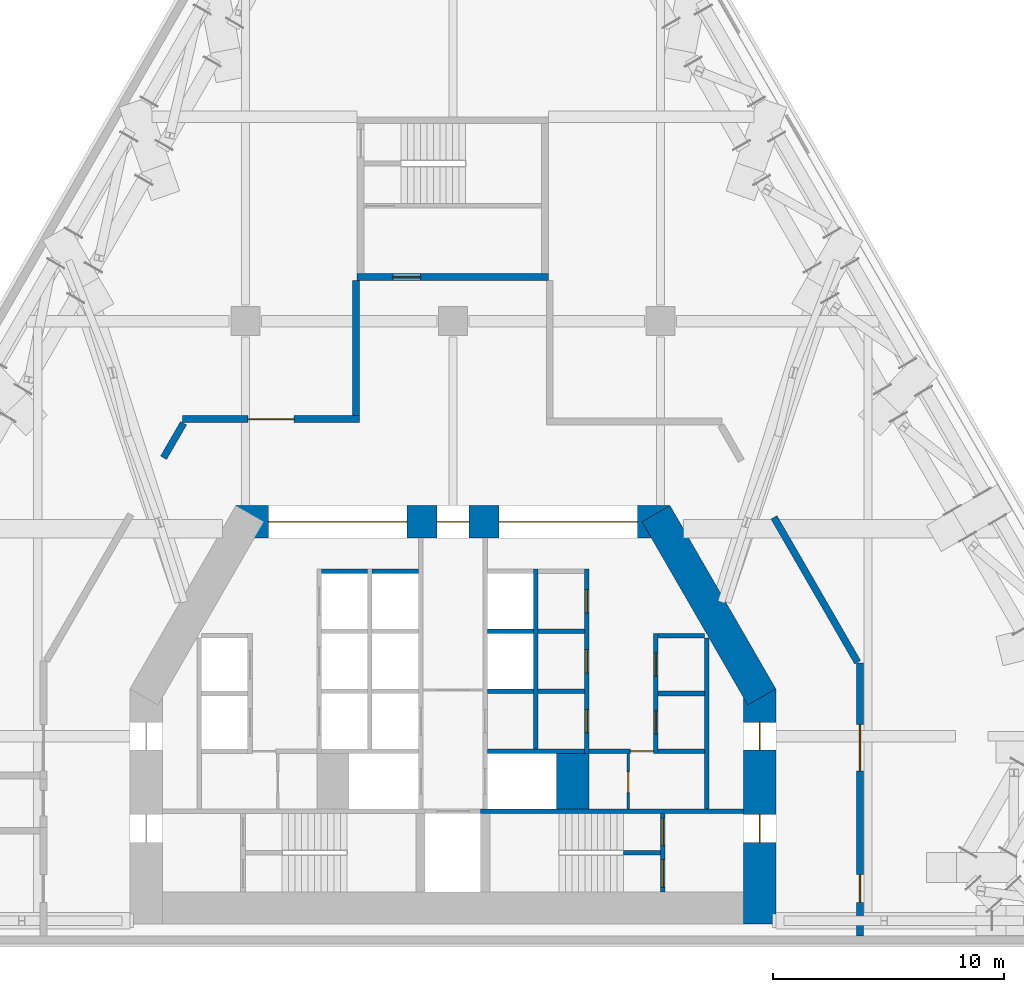
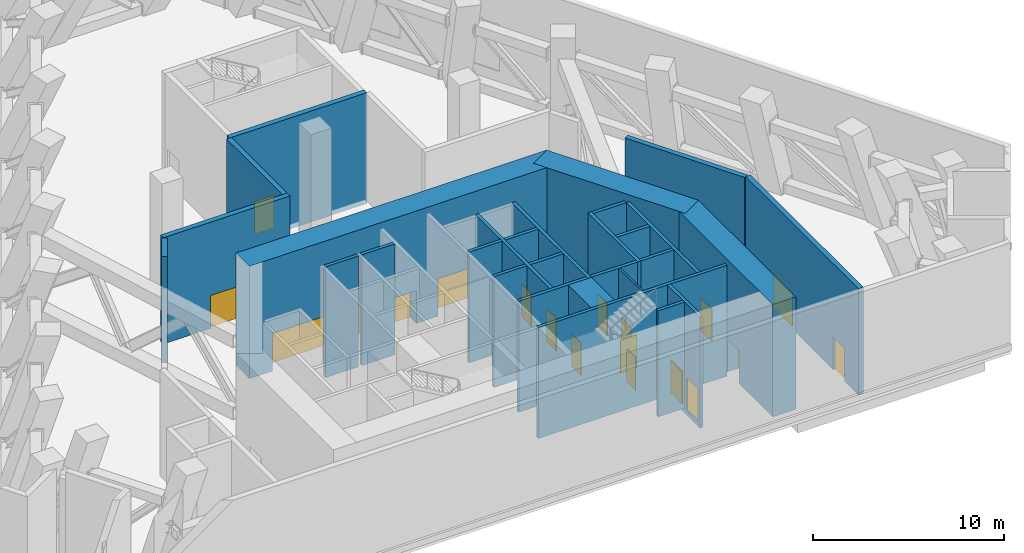
# One storey, part 7 of 12: 29 walls, 18 doors, 18 openings.
"""IFC4 building model written with IfcOpenShell, lengths in metres."""

import ifcopenshell
import ifcopenshell.guid

model = None  # the IFC model being written
_history = None  # IfcOwnerHistory: only IFC2X3 demands one
_inside = {}  # id of a spatial element -> (the spatial element, [elements in it])
_under = {}  # id of a project, library or spatial element -> (it, [spatial elements below it])
_declared = {}  # id of a project -> (the project, [libraries it declares])
_typed = {}  # id of a type object -> (the type object, [elements of that type])
_made_of = {}  # id of a material, layer set ... -> (it, [elements and type objects made of it])


def new_model(schema):
    """Start an empty IFC model of exactly this schema.

    Asked for "IFC4X3", IfcOpenShell would pick the latest addendum, in which some entities
    have other attributes; the version numbers below select the first issue.
    IFC2X3 requires an IfcOwnerHistory on every rooted entity: one is made here for all.
    """
    global model, _history
    if schema == "IFC4X3":
        model = ifcopenshell.file(schema_version=(4, 3, 0, 0))
    else:
        model = ifcopenshell.file(schema=schema)
    _inside.clear()
    _under.clear()
    _declared.clear()
    _typed.clear()
    _made_of.clear()
    _history = None
    if model.schema == "IFC2X3":
        org = make("IfcOrganization", Name="unknown")
        user = make(
            "IfcPersonAndOrganization",
            ThePerson=make("IfcPerson", FamilyName="unknown"),
            TheOrganization=org,
        )
        app = make(
            "IfcApplication",
            ApplicationDeveloper=org,
            Version="unknown",
            ApplicationFullName="unknown",
            ApplicationIdentifier="unknown",
        )
        _history = make(
            "IfcOwnerHistory",
            OwningUser=user,
            OwningApplication=app,
            ChangeAction="ADDED",
            CreationDate=0,
        )
    return model


def make(cls, **values):
    """One entity of the class cls with the attributes given. An attribute that is None is left unset."""
    return model.create_entity(
        cls, **{name: value for name, value in values.items() if value is not None}
    )


def rooted(cls, **values):
    """An entity with a GlobalId (a new one), such as an element, a storey or a relation."""
    return make(cls, GlobalId=ifcopenshell.guid.new(), OwnerHistory=_history, **values)


def si_unit(unit_type, name, prefix=None):
    """IfcSIUnit, for example si_unit("LENGTHUNIT", "METRE", prefix="MILLI")."""
    return make("IfcSIUnit", UnitType=unit_type, Prefix=prefix, Name=name)


def assignment(units):
    """IfcUnitAssignment: the units of a project."""
    return None if units is None else make("IfcUnitAssignment", Units=units)


def point(xyz):
    """IfcCartesianPoint."""
    return None if xyz is None else make("IfcCartesianPoint", Coordinates=xyz)


def direction(xyz):
    """IfcDirection."""
    return None if xyz is None else make("IfcDirection", DirectionRatios=xyz)


def frame(location, z_axis=None, x_axis=None):
    """IfcAxis2Placement3D, a coordinate frame: its origin and axes. An axis left out is left unset."""
    return make(
        "IfcAxis2Placement3D",
        Location=point(location),
        Axis=direction(z_axis),
        RefDirection=direction(x_axis),
    )


def frame_2d(location, x_axis=None):
    """IfcAxis2Placement2D, a coordinate frame in the plane: its origin and x axis."""
    return make(
        "IfcAxis2Placement2D", Location=point(location), RefDirection=direction(x_axis)
    )


def origin():
    """The frame at (0, 0, 0) with its axes left unset."""
    return frame((0.0, 0.0, 0.0))


def place(relative_to, where):
    """IfcLocalPlacement: puts the frame where relative to a parent placement (None: the world)."""
    return make(
        "IfcLocalPlacement", PlacementRelTo=relative_to, RelativePlacement=where
    )


def context(
    kind, dimensions, precision=None, world=None, true_north=None, identifier=None
):
    """IfcGeometricRepresentationContext, for example the 3D "Model" context."""
    return make(
        "IfcGeometricRepresentationContext",
        ContextIdentifier=identifier,
        ContextType=kind,
        CoordinateSpaceDimension=dimensions,
        Precision=precision,
        WorldCoordinateSystem=world,
        TrueNorth=true_north,
    )


def subcontext(parent, identifier, kind, view, scale=None):
    """IfcGeometricRepresentationSubContext, for example "Body" below "Model"."""
    return make(
        "IfcGeometricRepresentationSubContext",
        ContextIdentifier=identifier,
        ContextType=kind,
        ParentContext=parent,
        TargetScale=scale,
        TargetView=view,
    )


def project(units=None, contexts=None):
    """IfcProject with its units and contexts."""
    return rooted(
        "IfcProject",
        Name="project",
        RepresentationContexts=contexts,
        UnitsInContext=assignment(units),
    )


def spatial(cls, under=None, at=None, **own):
    """A site, building, storey or space (cls), placed at a placement, below another one or the project."""
    s = rooted(cls, ObjectPlacement=at, **own)
    if under is not None:
        _under.setdefault(under.id(), (under, []))[1].append(s)
    return s


def profile(cls, at=None, kind="AREA", **sizes):
    """A parametric profile (cls). Its sizes go by their IFC names, for example OverallWidth=200.0."""
    return make(cls, ProfileType=kind, Position=at, **sizes)


def rectangle(**sizes):
    """IfcRectangleProfileDef."""
    return profile("IfcRectangleProfileDef", **sizes)


def extrude(swept, where, along, depth):
    """IfcExtrudedAreaSolid: the profile swept, set in the frame where, extruded along a direction by depth."""
    return make(
        "IfcExtrudedAreaSolid",
        SweptArea=swept,
        Position=where,
        ExtrudedDirection=direction(along),
        Depth=depth,
    )


def shape(context_of_items, identifier, shape_type, items):
    """IfcShapeRepresentation: the items that make up one representation, for example the "Body"."""
    return make(
        "IfcShapeRepresentation",
        ContextOfItems=context_of_items,
        RepresentationIdentifier=identifier,
        RepresentationType=shape_type,
        Items=items,
    )


def material(Name=None, Category=None):
    """IfcMaterial."""
    return make("IfcMaterial", Name=Name, Category=Category)


def layer(
    of_material, thickness, ventilated=None, Name=None, Category=None, Priority=None
):
    """IfcMaterialLayer: one layer of a wall or slab, of a material (None: an air gap)."""
    return make(
        "IfcMaterialLayer",
        Material=of_material,
        LayerThickness=thickness,
        IsVentilated=ventilated,
        Name=Name,
        Category=Category,
        Priority=Priority,
    )


def layer_set(layers, Name=None):
    """IfcMaterialLayerSet."""
    return make("IfcMaterialLayerSet", MaterialLayers=layers, LayerSetName=Name)


def made_of(thing, what):
    """Note that an element or type object is made of a material, layer set ...; save() writes the relation."""
    if what is not None:
        _made_of.setdefault(what.id(), (what, []))[1].append(thing)
    return thing


def type_object(cls, material=None, **own):
    """A type object (cls), such as IfcWallType, which elements share."""
    return made_of(rooted(cls, **own), material)


def element(
    cls,
    number,
    at=None,
    inside=None,
    cuts=None,
    type_object=None,
    material=None,
    context=None,
    identifier="Body",
    shape_type=None,
    held_by="IfcProductDefinitionShape",
    body=None,
    shapes=None,
    **own,
):
    """One element of the class cls, such as IfcWall. Its Tag is "e" and its number.

    at: its placement. inside: the storey or other place that contains it. cuts: it is an
    opening in that element (IfcRelVoidsElement). A single representation is given by context,
    identifier, shape_type and body (its items); several are given by shapes. held_by: the class
    of the entity that holds the representations. save() writes the other relations.
    """
    e = rooted(cls, Tag="e%d" % number, ObjectPlacement=at, **own)
    if body is not None:
        shapes = [shape(context, identifier, shape_type, body)]
    if shapes is not None:
        e.Representation = make(held_by, Representations=shapes)
    if inside is not None:
        _inside.setdefault(inside.id(), (inside, []))[1].append(e)
    if cuts is not None:
        rooted(
            "IfcRelVoidsElement", RelatingBuildingElement=cuts, RelatedOpeningElement=e
        )
    if type_object is not None:
        _typed.setdefault(type_object.id(), (type_object, []))[1].append(e)
    return made_of(e, material)


def fill(opening, filler):
    """IfcRelFillsElement: the door or window that sits in an opening."""
    return rooted(
        "IfcRelFillsElement",
        RelatingOpeningElement=opening,
        RelatedBuildingElement=filler,
    )


def aggregate(whole, parts):
    """IfcRelAggregates: a whole, such as a stair, and the parts it consists of."""
    return rooted("IfcRelAggregates", RelatingObject=whole, RelatedObjects=parts)


def save(model, path):
    """Write the relations noted so far, then the file.

    IfcRelAggregates (storeys below a building ...), IfcRelContainedInSpatialStructure (elements
    in a storey), IfcRelDefinesByType, IfcRelAssociatesMaterial and IfcRelDeclares: one each for
    every whole, place, type object, material and project.
    """
    for whole, parts in _under.values():
        aggregate(whole, parts)
    for where, things in _inside.values():
        rooted(
            "IfcRelContainedInSpatialStructure",
            RelatedElements=things,
            RelatingStructure=where,
        )
    for kind, things in _typed.values():
        rooted("IfcRelDefinesByType", RelatedObjects=things, RelatingType=kind)
    for what, things in _made_of.values():
        rooted("IfcRelAssociatesMaterial", RelatedObjects=things, RelatingMaterial=what)
    for by, libraries in _declared.values():
        rooted("IfcRelDeclares", RelatingContext=by, RelatedDefinitions=libraries)
    model.write(path)


model = new_model("IFC4")

# Units and contexts
model_context = context("Model", 3, precision=1e-05, world=origin(), true_north=direction((0.0, 1.0)))
body_context = subcontext(model_context, "Body", "Model", "MODEL_VIEW")
ifc_project = project(units=[si_unit("LENGTHUNIT", "METRE"), si_unit("AREAUNIT", "SQUARE_METRE"), si_unit("VOLUMEUNIT", "CUBIC_METRE"), si_unit("PLANEANGLEUNIT", "RADIAN"), si_unit("MASSUNIT", "GRAM", prefix="KILO")], contexts=[model_context])

# Site, building, storey
site_placement = place(None, origin())
site = spatial("IfcSite", under=ifc_project, at=site_placement, CompositionType="ELEMENT")
building_placement = place(site_placement, origin())
building = spatial("IfcBuilding", under=site, at=building_placement, Name="Fogline Exchange Tower", CompositionType="ELEMENT")
storey_placement = place(building_placement, frame((0.0, 0.0, 88.89990234375)))
storey = spatial("IfcBuildingStorey", under=building, at=storey_placement, Name="L19", CompositionType="ELEMENT", Elevation=88.89990234375)

# Wall, opening, door
ifc_material_1 = material(Name="Blockwork partition", Category="masonry")
ifc_layer_1 = layer(ifc_material_1, 0.10009765625)
ifc_layer_set_1 = layer_set([ifc_layer_1], Name="CW10")
wall_type_1 = type_object("IfcWallType", Name="CW10", PredefinedType="PARTITIONING", material=ifc_layer_set_1)
wall_1_placement = place(storey_placement, frame((7.60009765625, 5.85009765625, 0.0), z_axis=(0.0, 0.0, 1.0), x_axis=(0.0, 1.0, 0.0)))
wall_1 = element("IfcWall", 1, at=wall_1_placement, inside=storey, type_object=wall_type_1, Name="WC partition", PredefinedType="PARTITIONING", context=body_context, shape_type="SweptSolid", body=[
    extrude(rectangle(XDim=2.39990234375, YDim=0.10009765625, at=frame_2d((1.199951171875, 0.0))), origin(), (0.0, 0.0, 1.0), 6.800048828125),
])
opening_1_placement = place(wall_1_placement, frame((0.699951171875, 0.0, 0.0)))
opening_1 = element("IfcOpeningElement", 2, at=opening_1_placement, cuts=wall_1, Name="Opening L19-C013", PredefinedType="OPENING", context=body_context, shape_type="SweptSolid", body=[
    extrude(rectangle(XDim=0.89990234375, YDim=2.10009765625, at=frame_2d((0.449951171875, 1.050048828125))), frame((0.0, 0.06005859375, 0.0), z_axis=(0.0, -1.0, 0.0), x_axis=(1.0, 0.0, 0.0)), (0.0, 0.0, 1.0), 0.1201171875),
])
ifc_material_2 = material(Name="Steel and timber fire door", Category="steel")
door_type_1 = type_object("IfcDoorType", Name="D-CS1", OperationType="SINGLE_SWING_RIGHT", PredefinedType="DOOR", material=ifc_material_2)
door_1_placement = place(opening_1_placement, origin())
door_1 = element("IfcDoor", 3, at=door_1_placement, inside=storey, type_object=door_type_1, Name="Door to AHU Room", OperationType="SINGLE_SWING_LEFT", OverallHeight=2.10009765625, OverallWidth=0.89990234375, PredefinedType="DOOR", context=body_context, shape_type="SweptSolid", body=[
    extrude(rectangle(XDim=0.89990234375, YDim=2.10009765625, at=frame_2d((0.449951171875, 1.050048828125))), frame((0.0, 0.02490234375, 0.0), z_axis=(0.0, -1.0, 0.0), x_axis=(1.0, 0.0, 0.0)), (0.0, 0.0, 1.0), 0.050048828125),
])
fill(opening_1, door_1)

# Walls
ifc_material_3 = material(Name="Concrete C60", Category="concrete")
ifc_layer_2 = layer(ifc_material_3, 1.39990234375)
ifc_layer_set_2 = layer_set([ifc_layer_2], Name="CW140")
wall_type_2 = type_object("IfcWallType", Name="CW140", PredefinedType="SOLIDWALL", material=ifc_layer_set_2)
wall_2_placement = place(storey_placement, frame((5.199951171875, 5.85009765625, -0.2998046875), z_axis=(0.0, 0.0, 1.0), x_axis=(0.0, 1.0, 0.0)))
element("IfcWall", 4, at=wall_2_placement, inside=storey, type_object=wall_type_2, Name="Lift shaft block wall", PredefinedType="SOLIDWALL", context=body_context, shape_type="SweptSolid", body=[
    extrude(rectangle(XDim=2.39990234375, YDim=1.39990234375, at=frame_2d((1.199951171875, 0.0))), origin(), (0.0, 0.0, 1.0), 7.099853515625),
])
ifc_material_4 = material(Name="Concrete C40", Category="concrete")
ifc_layer_3 = layer(ifc_material_4, 0.199951171875)
ifc_layer_set_3 = layer_set([ifc_layer_3], Name="CW20")
wall_type_3 = type_object("IfcWallType", Name="CW20", PredefinedType="SOLIDWALL", material=ifc_layer_set_3)
wall_3_placement = place(storey_placement, frame((11.0, 5.85009765625, 0.0), z_axis=(0.0, 0.0, 1.0), x_axis=(0.0, 1.0, 0.0)))
element("IfcWall", 5, at=wall_3_placement, inside=storey, type_object=wall_type_3, Name="Service room wall", PredefinedType="SOLIDWALL", context=body_context, shape_type="SweptSolid", body=[
    extrude(rectangle(XDim=7.39990234375, YDim=0.199951171875, at=frame_2d((3.699951171875, 0.0))), origin(), (0.0, 0.0, 1.0), 6.800048828125),
])

# Wall, opening, door
wall_4_placement = place(storey_placement, frame((5.89990234375, 8.35009765625, 0.0), z_axis=(0.0, 0.0, 1.0), x_axis=(1.0, 0.0, 0.0)))
wall_4 = element("IfcWall", 6, at=wall_4_placement, inside=storey, type_object=wall_type_3, Name="WC wall", PredefinedType="SOLIDWALL", context=body_context, shape_type="SweptSolid", body=[
    extrude(rectangle(XDim=2.800048828125, YDim=0.199951171875, at=frame_2d((1.39990234375, 0.0))), origin(), (0.0, 0.0, 1.0), 6.800048828125),
])
opening_2_placement = place(wall_4_placement, frame((1.800048828125, 0.0, 0.0)))
opening_2 = element("IfcOpeningElement", 7, at=opening_2_placement, cuts=wall_4, Name="Opening L19-C012", PredefinedType="OPENING", context=body_context, shape_type="SweptSolid", body=[
    extrude(rectangle(XDim=1.0, YDim=2.10009765625, at=frame_2d((0.5, 1.050048828125))), frame((0.0, 0.10986328125, 0.0), z_axis=(0.0, -1.0, 0.0), x_axis=(1.0, 0.0, 0.0)), (0.0, 0.0, 1.0), 0.219970703125),
])
door_type_2 = type_object("IfcDoorType", Name="D-WC1", OperationType="SINGLE_SWING_LEFT", PredefinedType="DOOR", material=ifc_material_2)
door_2_placement = place(opening_2_placement, frame((1.0, 0.0, 0.0), z_axis=(0.0, 0.0, 1.0), x_axis=(-1.0, 0.0, 0.0)))
door_2 = element("IfcDoor", 8, at=door_2_placement, inside=storey, type_object=door_type_2, Name="Door to Women's WC", OperationType="SINGLE_SWING_LEFT", OverallHeight=2.10009765625, OverallWidth=1.0, PredefinedType="DOOR", context=body_context, shape_type="SweptSolid", body=[
    extrude(rectangle(XDim=1.0, YDim=2.10009765625, at=frame_2d((0.5, 1.050048828125))), frame((0.0, 0.02490234375, 0.0), z_axis=(0.0, -1.0, 0.0), x_axis=(1.0, 0.0, 0.0)), (0.0, 0.0, 1.0), 0.050048828125),
])
fill(opening_2, door_2)

# Walls
ifc_layer_4 = layer(ifc_material_4, 0.199951171875)
ifc_layer_set_4 = layer_set([ifc_layer_4], Name="CW20B")
wall_type_4 = type_object("IfcWallType", Name="CW20B", PredefinedType="SOLIDWALL", material=ifc_layer_set_4)
wall_5_placement = place(storey_placement, frame((7.39990234375, 3.949951171875, 0.0), z_axis=(0.0, 0.0, 1.0), x_axis=(1.0, 0.0, 0.0)))
element("IfcWall", 9, at=wall_5_placement, inside=storey, type_object=wall_type_4, Name="Stair separation wall", PredefinedType="SOLIDWALL", context=body_context, shape_type="SweptSolid", body=[
    extrude(rectangle(XDim=1.60009765625, YDim=0.199951171875, at=frame_2d((0.800048828125, 0.0))), origin(), (0.0, 0.0, 1.0), 6.800048828125),
])
ifc_layer_5 = layer(ifc_material_4, 0.199951171875)
ifc_layer_set_5 = layer_set([ifc_layer_5], Name="CW20R")
wall_type_5 = type_object("IfcWallType", Name="CW20R", PredefinedType="SOLIDWALL", material=ifc_layer_set_5)
wall_6_placement = place(storey_placement, frame((1.199951171875, 5.75, -0.2998046875), z_axis=(0.0, 0.0, 1.0), x_axis=(1.0, 0.0, 0.0)))
element("IfcWall", 10, at=wall_6_placement, inside=storey, type_object=wall_type_5, Name="Stair enclosure wall", PredefinedType="SOLIDWALL", context=body_context, shape_type="SweptSolid", body=[
    extrude(rectangle(XDim=11.400146484375, YDim=0.199951171875, at=frame_2d((5.7001953125, 0.0))), origin(), (0.0, 0.0, 1.0), 7.099853515625),
])

# Wall, openings, doors
wall_7_placement = place(storey_placement, frame((9.10009765625, 2.25, -0.2998046875), z_axis=(0.0, 0.0, 1.0), x_axis=(0.0, 1.0, 0.0)))
wall_7 = element("IfcWall", 11, at=wall_7_placement, inside=storey, type_object=wall_type_5, Name="Stair enclosure wall", PredefinedType="SOLIDWALL", context=body_context, shape_type="SweptSolid", body=[
    extrude(rectangle(XDim=3.39990234375, YDim=0.199951171875, at=frame_2d((1.699951171875, 0.0))), origin(), (0.0, 0.0, 1.0), 7.099853515625),
])
opening_3_placement = place(wall_7_placement, frame((0.199951171875, 0.0, 0.300048828125)))
opening_3 = element("IfcOpeningElement", 12, at=opening_3_placement, cuts=wall_7, Name="Opening L19-C015", PredefinedType="OPENING", context=body_context, shape_type="SweptSolid", body=[
    extrude(rectangle(XDim=1.199951171875, YDim=2.10009765625, at=frame_2d((0.60009765625, 1.050048828125))), frame((0.0, 0.10986328125, 0.0), z_axis=(0.0, -1.0, 0.0), x_axis=(1.0, 0.0, 0.0)), (0.0, 0.0, 1.0), 0.219970703125),
])
opening_4_placement = place(wall_7_placement, frame((2.0, 0.0, 0.300048828125)))
opening_4 = element("IfcOpeningElement", 13, at=opening_4_placement, cuts=wall_7, Name="Opening L19-C022", PredefinedType="OPENING", context=body_context, shape_type="SweptSolid", body=[
    extrude(rectangle(XDim=1.199951171875, YDim=2.10009765625, at=frame_2d((0.60009765625, 1.050048828125))), frame((0.0, 0.10986328125, 0.0), z_axis=(0.0, -1.0, 0.0), x_axis=(1.0, 0.0, 0.0)), (0.0, 0.0, 1.0), 0.219970703125),
])
door_type_3 = type_object("IfcDoorType", Name="D-ST1", OperationType="SINGLE_SWING_LEFT", PredefinedType="DOOR", material=ifc_material_2)
door_3_placement = place(opening_3_placement, origin())
door_3 = element("IfcDoor", 14, at=door_3_placement, inside=storey, type_object=door_type_3, Name="Stair door ST2", OperationType="SINGLE_SWING_LEFT", OverallHeight=2.10009765625, OverallWidth=1.199951171875, PredefinedType="DOOR", context=body_context, shape_type="SweptSolid", body=[
    extrude(rectangle(XDim=1.199951171875, YDim=2.10009765625, at=frame_2d((0.60009765625, 1.050048828125))), frame((0.0, 0.02490234375, 0.0), z_axis=(0.0, -1.0, 0.0), x_axis=(1.0, 0.0, 0.0)), (0.0, 0.0, 1.0), 0.050048828125),
])
fill(opening_3, door_3)
door_4_placement = place(opening_4_placement, frame((1.199951171875, 0.0, 0.0), z_axis=(0.0, 0.0, 1.0), x_axis=(-1.0, 0.0, 0.0)))
door_4 = element("IfcDoor", 15, at=door_4_placement, inside=storey, type_object=door_type_3, Name="Stair arrival door ST2", OperationType="SINGLE_SWING_LEFT", OverallHeight=2.10009765625, OverallWidth=1.199951171875, PredefinedType="DOOR", context=body_context, shape_type="SweptSolid", body=[
    extrude(rectangle(XDim=1.199951171875, YDim=2.10009765625, at=frame_2d((0.60009765625, 1.050048828125))), frame((0.0, 0.02490234375, 0.0), z_axis=(0.0, -1.0, 0.0), x_axis=(1.0, 0.0, 0.0)), (0.0, 0.0, 1.0), 0.050048828125),
])
fill(opening_4, door_4)

ifc_layer_6 = layer(ifc_material_4, 0.199951171875)
ifc_layer_set_6 = layer_set([ifc_layer_6], Name="CW20S")
wall_type_6 = type_object("IfcWallType", Name="CW20S", PredefinedType="SOLIDWALL", material=ifc_layer_set_6)
wall_8_placement = place(storey_placement, frame((8.800048828125, 8.25, -0.2998046875), z_axis=(0.0, 0.0, 1.0), x_axis=(0.0, 1.0, 0.0)))
wall_8 = element("IfcWall", 16, at=wall_8_placement, inside=storey, type_object=wall_type_6, Name="Lift shaft wall", PredefinedType="SOLIDWALL", context=body_context, shape_type="SweptSolid", body=[
    extrude(rectangle(XDim=5.199951171875, YDim=0.199951171875, at=frame_2d((2.60009765625, 0.0))), origin(), (0.0, 0.0, 1.0), 7.099853515625),
])
opening_5_placement = place(wall_8_placement, frame((0.85009765625, 0.0, 0.300048828125)))
opening_5 = element("IfcOpeningElement", 17, at=opening_5_placement, cuts=wall_8, Name="Opening L19-C001", PredefinedType="OPENING", context=body_context, shape_type="SweptSolid", body=[
    extrude(rectangle(XDim=1.0, YDim=2.10009765625, at=frame_2d((0.5, 1.050048828125))), frame((0.0, 0.10986328125, 0.0), z_axis=(0.0, -1.0, 0.0), x_axis=(1.0, 0.0, 0.0)), (0.0, 0.0, 1.0), 0.219970703125),
])
opening_6_placement = place(wall_8_placement, frame((3.35009765625, 0.0, 0.300048828125)))
opening_6 = element("IfcOpeningElement", 18, at=opening_6_placement, cuts=wall_8, Name="Opening L19-C002", PredefinedType="OPENING", context=body_context, shape_type="SweptSolid", body=[
    extrude(rectangle(XDim=1.0, YDim=2.10009765625, at=frame_2d((0.5, 1.050048828125))), frame((0.0, 0.10986328125, 0.0), z_axis=(0.0, -1.0, 0.0), x_axis=(1.0, 0.0, 0.0)), (0.0, 0.0, 1.0), 0.219970703125),
])
door_type_4 = type_object("IfcDoorType", Name="D-RM1", OperationType="SINGLE_SWING_LEFT", PredefinedType="DOOR", material=ifc_material_2)
door_5_placement = place(opening_5_placement, frame((1.0, 0.0, 0.0), z_axis=(0.0, 0.0, 1.0), x_axis=(-1.0, 0.0, 0.0)))
door_5 = element("IfcDoor", 19, at=door_5_placement, inside=storey, type_object=door_type_4, Name="Door to Switch Room", OperationType="SINGLE_SWING_LEFT", OverallHeight=2.10009765625, OverallWidth=1.0, PredefinedType="DOOR", context=body_context, shape_type="SweptSolid", body=[
    extrude(rectangle(XDim=1.0, YDim=2.10009765625, at=frame_2d((0.5, 1.050048828125))), frame((0.0, 0.02490234375, 0.0), z_axis=(0.0, -1.0, 0.0), x_axis=(1.0, 0.0, 0.0)), (0.0, 0.0, 1.0), 0.050048828125),
])
fill(opening_5, door_5)
door_6_placement = place(opening_6_placement, frame((1.0, 0.0, 0.0), z_axis=(0.0, 0.0, 1.0), x_axis=(-1.0, 0.0, 0.0)))
door_6 = element("IfcDoor", 20, at=door_6_placement, inside=storey, type_object=door_type_4, Name="Door to Mechanical Plant Room", OperationType="SINGLE_SWING_LEFT", OverallHeight=2.10009765625, OverallWidth=1.0, PredefinedType="DOOR", context=body_context, shape_type="SweptSolid", body=[
    extrude(rectangle(XDim=1.0, YDim=2.10009765625, at=frame_2d((0.5, 1.050048828125))), frame((0.0, 0.02490234375, 0.0), z_axis=(0.0, -1.0, 0.0), x_axis=(1.0, 0.0, 0.0)), (0.0, 0.0, 1.0), 0.050048828125),
])
fill(opening_6, door_6)

wall_9_placement = place(storey_placement, frame((5.800048828125, 8.25, -0.2998046875), z_axis=(0.0, 0.0, 1.0), x_axis=(0.0, 1.0, 0.0)))
wall_9 = element("IfcWall", 21, at=wall_9_placement, inside=storey, type_object=wall_type_6, Name="Lift shaft wall", PredefinedType="SOLIDWALL", context=body_context, shape_type="SweptSolid", body=[
    extrude(rectangle(XDim=8.0, YDim=0.199951171875, at=frame_2d((4.0, 0.0))), origin(), (0.0, 0.0, 1.0), 7.099853515625),
])
opening_7_placement = place(wall_9_placement, frame((0.89990234375, 0.0, 0.300048828125)))
opening_7 = element("IfcOpeningElement", 22, at=opening_7_placement, cuts=wall_9, Name="Opening L19-C003", PredefinedType="OPENING", context=body_context, shape_type="SweptSolid", body=[
    extrude(rectangle(XDim=1.0, YDim=2.10009765625, at=frame_2d((0.5, 1.050048828125))), frame((0.0, 0.10986328125, 0.0), z_axis=(0.0, -1.0, 0.0), x_axis=(1.0, 0.0, 0.0)), (0.0, 0.0, 1.0), 0.219970703125),
])
opening_8_placement = place(wall_9_placement, frame((3.5, 0.0, 0.300048828125)))
opening_8 = element("IfcOpeningElement", 23, at=opening_8_placement, cuts=wall_9, Name="Opening L19-C004", PredefinedType="OPENING", context=body_context, shape_type="SweptSolid", body=[
    extrude(rectangle(XDim=1.0, YDim=2.10009765625, at=frame_2d((0.5, 1.050048828125))), frame((0.0, 0.10986328125, 0.0), z_axis=(0.0, -1.0, 0.0), x_axis=(1.0, 0.0, 0.0)), (0.0, 0.0, 1.0), 0.219970703125),
])
opening_9_placement = place(wall_9_placement, frame((6.10009765625, 0.0, 0.300048828125)))
opening_9 = element("IfcOpeningElement", 24, at=opening_9_placement, cuts=wall_9, Name="Opening L19-C005", PredefinedType="OPENING", context=body_context, shape_type="SweptSolid", body=[
    extrude(rectangle(XDim=1.0, YDim=2.10009765625, at=frame_2d((0.5, 1.050048828125))), frame((0.0, 0.10986328125, 0.0), z_axis=(0.0, -1.0, 0.0), x_axis=(1.0, 0.0, 0.0)), (0.0, 0.0, 1.0), 0.219970703125),
])
door_7_placement = place(opening_7_placement, origin())
door_7 = element("IfcDoor", 25, at=door_7_placement, inside=storey, type_object=door_type_4, Name="Door to Plumbing Plant Room", OperationType="SINGLE_SWING_RIGHT", OverallHeight=2.10009765625, OverallWidth=1.0, PredefinedType="DOOR", context=body_context, shape_type="SweptSolid", body=[
    extrude(rectangle(XDim=1.0, YDim=2.10009765625, at=frame_2d((0.5, 1.050048828125))), frame((0.0, 0.02490234375, 0.0), z_axis=(0.0, -1.0, 0.0), x_axis=(1.0, 0.0, 0.0)), (0.0, 0.0, 1.0), 0.050048828125),
])
fill(opening_7, door_7)
door_8_placement = place(opening_8_placement, origin())
door_8 = element("IfcDoor", 26, at=door_8_placement, inside=storey, type_object=door_type_4, Name="Door to Pump Plant Room", OperationType="SINGLE_SWING_LEFT", OverallHeight=2.10009765625, OverallWidth=1.0, PredefinedType="DOOR", context=body_context, shape_type="SweptSolid", body=[
    extrude(rectangle(XDim=1.0, YDim=2.10009765625, at=frame_2d((0.5, 1.050048828125))), frame((0.0, 0.02490234375, 0.0), z_axis=(0.0, -1.0, 0.0), x_axis=(1.0, 0.0, 0.0)), (0.0, 0.0, 1.0), 0.050048828125),
])
fill(opening_8, door_8)
door_9_placement = place(opening_9_placement, origin())
door_9 = element("IfcDoor", 27, at=door_9_placement, inside=storey, type_object=door_type_4, Name="Door to Plant Room", OperationType="SINGLE_SWING_LEFT", OverallHeight=2.10009765625, OverallWidth=1.0, PredefinedType="DOOR", context=body_context, shape_type="SweptSolid", body=[
    extrude(rectangle(XDim=1.0, YDim=2.10009765625, at=frame_2d((0.5, 1.050048828125))), frame((0.0, 0.02490234375, 0.0), z_axis=(0.0, -1.0, 0.0), x_axis=(1.0, 0.0, 0.0)), (0.0, 0.0, 1.0), 0.050048828125),
])
fill(opening_9, door_9)

# Walls
wall_10_placement = place(storey_placement, frame((3.60009765625, 8.449951171875, -0.2998046875), z_axis=(0.0, 0.0, 1.0), x_axis=(0.0, 1.0, 0.0)))
element("IfcWall", 28, at=wall_10_placement, inside=storey, type_object=wall_type_6, Name="Lift shaft wall", PredefinedType="SOLIDWALL", context=body_context, shape_type="SweptSolid", body=[
    extrude(rectangle(XDim=7.800048828125, YDim=0.199951171875, at=frame_2d((3.89990234375, 0.0))), origin(), (0.0, 0.0, 1.0), 7.099853515625),
])
wall_11_placement = place(storey_placement, frame((8.89990234375, 8.35009765625, -0.2998046875), z_axis=(0.0, 0.0, 1.0), x_axis=(1.0, 0.0, 0.0)))
element("IfcWall", 29, at=wall_11_placement, inside=storey, type_object=wall_type_6, Name="Lift shaft wall", PredefinedType="SOLIDWALL", context=body_context, shape_type="SweptSolid", body=[
    extrude(rectangle(XDim=2.0, YDim=0.199951171875, at=frame_2d((1.0, 0.0))), origin(), (0.0, 0.0, 1.0), 7.099853515625),
])
wall_12_placement = place(storey_placement, frame((1.5, 8.35009765625, -0.2998046875), z_axis=(0.0, 0.0, 1.0), x_axis=(1.0, 0.0, 0.0)))
element("IfcWall", 30, at=wall_12_placement, inside=storey, type_object=wall_type_6, Name="Lift shaft wall", PredefinedType="SOLIDWALL", context=body_context, shape_type="SweptSolid", body=[
    extrude(rectangle(XDim=4.199951171875, YDim=0.199951171875, at=frame_2d((2.10009765625, 0.0))), origin(), (0.0, 0.0, 1.0), 7.099853515625),
])
for number, where, z_axis, x_axis, name in (
    (31, (-5.699951171875, 16.14990234375, -0.2998046875), (0.0, 0.0, 1.0), (1.0, 0.0, 0.0), "Lift shaft wall"),
    (32, (-3.5, 16.14990234375, -0.2998046875), (0.0, 0.0, 1.0), (1.0, 0.0, 0.0), "Lift shaft wall"),
    (33, (8.89990234375, 10.85009765625, -0.2998046875), (0.0, 0.0, 1.0), (1.0, 0.0, 0.0), "Lift shaft wall"),
    (34, (8.89990234375, 13.35009765625, -0.2998046875), (0.0, 0.0, 1.0), (1.0, 0.0, 0.0), "Lift shaft wall"),
    (35, (3.699951171875, 10.949951171875, -0.2998046875), (0.0, 0.0, 1.0), (1.0, 0.0, 0.0), "Lift shaft wall"),
    (36, (3.699951171875, 13.550048828125, -0.2998046875), (0.0, 0.0, 1.0), (1.0, 0.0, 0.0), "Lift shaft wall"),
    (37, (1.5, 10.949951171875, -0.2998046875), (0.0, 0.0, 1.0), (1.0, 0.0, 0.0), "Lift shaft wall"),
    (38, (1.5, 13.550048828125, -0.2998046875), (0.0, 0.0, 1.0), (1.0, 0.0, 0.0), "Lift shaft wall"),
):
    element("IfcWall", number, at=place(storey_placement, frame(where, z_axis=z_axis, x_axis=x_axis)), inside=storey, type_object=wall_type_6, Name=name, PredefinedType="SOLIDWALL", context=body_context, shape_type="SweptSolid", body=[
        extrude(rectangle(XDim=2.0, YDim=0.199951171875, at=frame_2d((1.0, 0.0))), origin(), (0.0, 0.0, 1.0), 7.099853515625),
    ])

# Wall, opening, door
ifc_layer_7 = layer(ifc_material_4, 0.300048828125)
ifc_layer_set_7 = layer_set([ifc_layer_7], Name="CW30")
wall_type_7 = type_object("IfcWallType", Name="CW30", PredefinedType="SOLIDWALL", material=ifc_layer_set_7)
wall_13_placement = place(storey_placement, frame((-4.14990234375, 28.906982421875, -0.2998046875), z_axis=(0.0, 0.0, 1.0), x_axis=(1.0, 0.0, 0.0)))
wall_13 = element("IfcWall", 39, at=wall_13_placement, inside=storey, type_object=wall_type_7, Name="Stair enclosure wall ST3", PredefinedType="SOLIDWALL", context=body_context, shape_type="SweptSolid", body=[
    extrude(rectangle(XDim=8.2998046875, YDim=0.300048828125, at=frame_2d((4.14990234375, 0.0))), origin(), (0.0, 0.0, 1.0), 7.099853515625),
])
opening_10_placement = place(wall_13_placement, frame((1.550048828125, 0.0, 0.300048828125)))
opening_10 = element("IfcOpeningElement", 40, at=opening_10_placement, cuts=wall_13, Name="Opening L19-C023", PredefinedType="OPENING", context=body_context, shape_type="SweptSolid", body=[
    extrude(rectangle(XDim=1.199951171875, YDim=2.10009765625, at=frame_2d((0.60009765625, 1.050048828125))), frame((0.0, 0.16015625, 0.0), z_axis=(0.0, -1.0, 0.0), x_axis=(1.0, 0.0, 0.0)), (0.0, 0.0, 1.0), 0.320068359375),
])
door_type_5 = type_object("IfcDoorType", Name="D-FR1", OperationType="SINGLE_SWING_RIGHT", PredefinedType="DOOR", material=ifc_material_2)
door_10_placement = place(opening_10_placement, origin())
door_10 = element("IfcDoor", 41, at=door_10_placement, inside=storey, type_object=door_type_5, Name="Front room door ST3", OperationType="SINGLE_SWING_LEFT", OverallHeight=2.10009765625, OverallWidth=1.199951171875, PredefinedType="DOOR", context=body_context, shape_type="SweptSolid", body=[
    extrude(rectangle(XDim=1.199951171875, YDim=2.10009765625, at=frame_2d((0.60009765625, 1.050048828125))), frame((0.0, 0.02490234375, 0.0), z_axis=(0.0, -1.0, 0.0), x_axis=(1.0, 0.0, 0.0)), (0.0, 0.0, 1.0), 0.050048828125),
])
fill(opening_10, door_10)

# Wall, openings, doors
ifc_layer_8 = layer(ifc_material_4, 0.300048828125)
ifc_layer_set_8 = layer_set([ifc_layer_8], Name="PP4")
wall_type_8 = type_object("IfcWallType", Name="PP4", PredefinedType="SOLIDWALL", material=ifc_layer_set_8)
wall_14_placement = place(storey_placement, frame((17.64990234375, 12.1806640625, 0.0), z_axis=(0.0, 0.0, 1.0), x_axis=(0.0, -1.0, 0.0)))
wall_14 = element("IfcWall", 42, at=wall_14_placement, inside=storey, type_object=wall_type_8, Name="PP4 partition", PredefinedType="SOLIDWALL", context=body_context, shape_type="SweptSolid", body=[
    extrude(rectangle(XDim=11.840576171875, YDim=0.300048828125, at=frame_2d((5.92041015625, 0.0))), origin(), (0.0, 0.0, 1.0), 6.800048828125),
])
opening_11_placement = place(wall_14_placement, frame((2.6806640625, 0.0, 0.0)))
opening_11 = element("IfcOpeningElement", 43, at=opening_11_placement, cuts=wall_14, Name="Opening L19-D005", PredefinedType="OPENING", context=body_context, shape_type="SweptSolid", body=[
    extrude(rectangle(XDim=2.0, YDim=2.10009765625, at=frame_2d((1.0, 1.050048828125))), frame((0.0, 0.16015625, 0.0), z_axis=(0.0, -1.0, 0.0), x_axis=(1.0, 0.0, 0.0)), (0.0, 0.0, 1.0), 0.320068359375),
])
opening_12_placement = place(wall_14_placement, frame((9.1806640625, 0.0, 0.0)))
opening_12 = element("IfcOpeningElement", 44, at=opening_12_placement, cuts=wall_14, Name="Opening L19-D006", PredefinedType="OPENING", context=body_context, shape_type="SweptSolid", body=[
    extrude(rectangle(XDim=1.199951171875, YDim=2.10009765625, at=frame_2d((0.60009765625, 1.050048828125))), frame((0.0, 0.16015625, 0.0), z_axis=(0.0, -1.0, 0.0), x_axis=(1.0, 0.0, 0.0)), (0.0, 0.0, 1.0), 0.320068359375),
])
ifc_material_5 = material(Name="Steel Q235B", Category="steel")
door_type_6 = type_object("IfcDoorType", Name="PD6", OperationType="DOUBLE_DOOR_SINGLE_SWING", PredefinedType="DOOR", material=ifc_material_5)
door_11_placement = place(opening_11_placement, frame((2.0, 0.0, 0.0), z_axis=(0.0, 0.0, 1.0), x_axis=(-1.0, 0.0, 0.0)))
door_11 = element("IfcDoor", 45, at=door_11_placement, inside=storey, type_object=door_type_6, Name="L19-D005", OperationType="DOUBLE_DOOR_SINGLE_SWING", OverallHeight=2.10009765625, OverallWidth=2.0, PredefinedType="DOOR", context=body_context, shape_type="SweptSolid", body=[
    extrude(rectangle(XDim=2.0, YDim=2.10009765625, at=frame_2d((1.0, 1.050048828125))), frame((0.0, 0.02490234375, 0.0), z_axis=(0.0, -1.0, 0.0), x_axis=(1.0, 0.0, 0.0)), (0.0, 0.0, 1.0), 0.050048828125),
])
fill(opening_11, door_11)
door_type_7 = type_object("IfcDoorType", Name="PD7", OperationType="SINGLE_SWING_LEFT", PredefinedType="DOOR", material=ifc_material_5)
door_12_placement = place(opening_12_placement, frame((1.199951171875, 0.0, 0.0), z_axis=(0.0, 0.0, 1.0), x_axis=(-1.0, 0.0, 0.0)))
door_12 = element("IfcDoor", 46, at=door_12_placement, inside=storey, type_object=door_type_7, Name="L19-D006", OperationType="SINGLE_SWING_LEFT", OverallHeight=2.10009765625, OverallWidth=1.199951171875, PredefinedType="DOOR", context=body_context, shape_type="SweptSolid", body=[
    extrude(rectangle(XDim=1.199951171875, YDim=2.10009765625, at=frame_2d((0.60009765625, 1.050048828125))), frame((0.0, 0.02490234375, 0.0), z_axis=(0.0, -1.0, 0.0), x_axis=(1.0, 0.0, 0.0)), (0.0, 0.0, 1.0), 0.050048828125),
])
fill(opening_12, door_12)

# Wall, opening, door
wall_15_placement = place(storey_placement, frame((-11.7265625, 22.75, 0.0), z_axis=(0.0, 0.0, 1.0), x_axis=(1.0, 0.0, 0.0)))
wall_15 = element("IfcWall", 47, at=wall_15_placement, inside=storey, type_object=wall_type_8, Name="PP4 partition", PredefinedType="SOLIDWALL", context=body_context, shape_type="SweptSolid", body=[
    extrude(rectangle(XDim=7.676513671875, YDim=0.300048828125, at=frame_2d((3.83837890625, 0.0))), origin(), (0.0, 0.0, 1.0), 6.800048828125),
])
opening_13_placement = place(wall_15_placement, frame((2.83837890625, 0.0, 0.0)))
opening_13 = element("IfcOpeningElement", 48, at=opening_13_placement, cuts=wall_15, Name="Opening L19-D002", PredefinedType="OPENING", context=body_context, shape_type="SweptSolid", body=[
    extrude(rectangle(XDim=2.0, YDim=2.10009765625, at=frame_2d((1.0, 1.050048828125))), frame((0.0, 0.16015625, 0.0), z_axis=(0.0, -1.0, 0.0), x_axis=(1.0, 0.0, 0.0)), (0.0, 0.0, 1.0), 0.320068359375),
])
door_13_placement = place(opening_13_placement, frame((2.0, 0.0, 0.0), z_axis=(0.0, 0.0, 1.0), x_axis=(-1.0, 0.0, 0.0)))
door_13 = element("IfcDoor", 49, at=door_13_placement, inside=storey, type_object=door_type_6, Name="L19-D002", OperationType="DOUBLE_DOOR_SINGLE_SWING", OverallHeight=2.10009765625, OverallWidth=2.0, PredefinedType="DOOR", context=body_context, shape_type="SweptSolid", body=[
    extrude(rectangle(XDim=2.0, YDim=2.10009765625, at=frame_2d((1.0, 1.050048828125))), frame((0.0, 0.02490234375, 0.0), z_axis=(0.0, -1.0, 0.0), x_axis=(1.0, 0.0, 0.0)), (0.0, 0.0, 1.0), 0.050048828125),
])
fill(opening_13, door_13)

# Walls
wall_16_placement = place(storey_placement, frame((13.922119140625, 18.487548828125, 0.0), z_axis=(0.0, 0.0, 1.0), x_axis=(0.49999933652, -0.866025786844, 0.0)))
element("IfcWall", 50, at=wall_16_placement, inside=storey, type_object=wall_type_8, Name="PP4 partition", PredefinedType="SOLIDWALL", context=body_context, shape_type="SweptSolid", body=[
    extrude(rectangle(XDim=7.2509765625, YDim=0.300048828125, at=frame_2d((3.62548828125, 0.0))), origin(), (0.0, 0.0, 1.0), 6.800048828125),
])
wall_17_placement = place(storey_placement, frame((-4.199951171875, 22.89990234375, 0.0), z_axis=(0.0, 0.0, 1.0), x_axis=(0.0, 1.0, 0.0)))
element("IfcWall", 51, at=wall_17_placement, inside=storey, type_object=wall_type_8, Name="PP4 partition", PredefinedType="SOLIDWALL", context=body_context, shape_type="SweptSolid", body=[
    extrude(rectangle(XDim=5.857177734375, YDim=0.300048828125, at=frame_2d((2.9287109375, 0.0))), origin(), (0.0, 0.0, 1.0), 6.800048828125),
])
wall_18_placement = place(storey_placement, frame((-12.54541015625, 21.072021484375, 0.0), z_axis=(0.0, 0.0, 1.0), x_axis=(0.499958279983, 0.866049489508, 0.0)))
element("IfcWall", 52, at=wall_18_placement, inside=storey, type_object=wall_type_8, Name="PP4 partition", PredefinedType="SOLIDWALL", context=body_context, shape_type="SweptSolid", body=[
    extrude(rectangle(XDim=1.732666015625, YDim=0.300048828125, at=frame_2d((0.8662109375, 0.0))), origin(), (0.0, 0.0, 1.0), 6.800048828125),
])

# Wall, openings, doors
ifc_layer_9 = layer(ifc_material_3, 1.39990234375)
ifc_layer_set_9 = layer_set([ifc_layer_9], Name="SW01")
wall_type_9 = type_object("IfcWallType", Name="SW01", PredefinedType="SHEAR", material=ifc_layer_set_9)
wall_19_placement = place(storey_placement, frame((13.300048828125, 0.85009765625, 0.0), z_axis=(0.0, 0.0, 1.0), x_axis=(0.0, 1.0, 0.0)))
wall_19 = element("IfcWall", 53, at=wall_19_placement, inside=storey, type_object=wall_type_9, Name="L19-W902", PredefinedType="SHEAR", context=body_context, shape_type="SweptSolid", body=[
    extrude(rectangle(XDim=10.202392578125, YDim=1.39990234375, at=frame_2d((5.10107421875, 0.0))), origin(), (0.0, 0.0, 1.0), 7.2001953125),
])
opening_14_placement = place(wall_19_placement, frame((3.550048828125, 0.0, 0.0)))
opening_14 = element("IfcOpeningElement", 54, at=opening_14_placement, cuts=wall_19, Name="Opening L19-C014", PredefinedType="OPENING", context=body_context, shape_type="SweptSolid", body=[
    extrude(rectangle(XDim=1.199951171875, YDim=2.10009765625, at=frame_2d((0.60009765625, 1.050048828125))), frame((0.0, 0.7099609375, 0.0), z_axis=(0.0, -1.0, 0.0), x_axis=(1.0, 0.0, 0.0)), (0.0, 0.0, 1.0), 1.419921875),
])
opening_15_placement = place(wall_19_placement, frame((7.550048828125, 0.0, 0.0)))
opening_15 = element("IfcOpeningElement", 55, at=opening_15_placement, cuts=wall_19, Name="Opening L19-C016", PredefinedType="OPENING", context=body_context, shape_type="SweptSolid", body=[
    extrude(rectangle(XDim=1.199951171875, YDim=2.10009765625, at=frame_2d((0.60009765625, 1.050048828125))), frame((0.0, 0.7099609375, 0.0), z_axis=(0.0, -1.0, 0.0), x_axis=(1.0, 0.0, 0.0)), (0.0, 0.0, 1.0), 1.419921875),
])
door_14_placement = place(opening_14_placement, origin())
door_14 = element("IfcDoor", 56, at=door_14_placement, inside=storey, type_object=door_type_5, Name="Front room door ST2", OperationType="SINGLE_SWING_RIGHT", OverallHeight=2.10009765625, OverallWidth=1.199951171875, PredefinedType="DOOR", context=body_context, shape_type="SweptSolid", body=[
    extrude(rectangle(XDim=1.199951171875, YDim=2.10009765625, at=frame_2d((0.60009765625, 1.050048828125))), frame((0.0, 0.02490234375, 0.0), z_axis=(0.0, -1.0, 0.0), x_axis=(1.0, 0.0, 0.0)), (0.0, 0.0, 1.0), 0.050048828125),
])
fill(opening_14, door_14)
door_type_8 = type_object("IfcDoorType", Name="D-SV1", OperationType="SINGLE_SWING_LEFT", PredefinedType="DOOR", material=ifc_material_2)
door_15_placement = place(opening_15_placement, origin())
door_15 = element("IfcDoor", 57, at=door_15_placement, inside=storey, type_object=door_type_8, Name="Service door E", OperationType="SINGLE_SWING_RIGHT", OverallHeight=2.10009765625, OverallWidth=1.199951171875, PredefinedType="DOOR", context=body_context, shape_type="SweptSolid", body=[
    extrude(rectangle(XDim=1.199951171875, YDim=2.10009765625, at=frame_2d((0.60009765625, 1.050048828125))), frame((0.0, 0.02490234375, 0.0), z_axis=(0.0, -1.0, 0.0), x_axis=(1.0, 0.0, 0.0)), (0.0, 0.0, 1.0), 0.050048828125),
])
fill(opening_15, door_15)

# Wall
wall_20_placement = place(storey_placement, frame((13.393798828125, 10.70263671875, 0.0), z_axis=(0.0, 0.0, 1.0), x_axis=(-0.50000187635, 0.866024320471, 0.0)))
element("IfcWall", 58, at=wall_20_placement, inside=storey, type_object=wall_type_9, Name="L19-W903", PredefinedType="SHEAR", context=body_context, shape_type="SweptSolid", body=[
    extrude(rectangle(XDim=9.1767578125, YDim=1.39990234375, at=frame_2d((4.58837890625, 0.0))), origin(), (0.0, 0.0, 1.0), 7.2001953125),
])

# Wall, openings, doors
wall_21_placement = place(storey_placement, frame((9.41162109375, 18.300048828125, 0.0), z_axis=(0.0, 0.0, 1.0), x_axis=(-1.0, 0.0, 0.0)))
wall_21 = element("IfcWall", 59, at=wall_21_placement, inside=storey, type_object=wall_type_9, Name="L19-W904", PredefinedType="SHEAR", context=body_context, shape_type="SweptSolid", body=[
    extrude(rectangle(XDim=18.8232421875, YDim=1.39990234375, at=frame_2d((9.41162109375, 0.0))), origin(), (0.0, 0.0, 1.0), 7.2001953125),
])
opening_16_placement = place(wall_21_placement, frame((8.71142578125, 0.0, 0.0)))
opening_16 = element("IfcOpeningElement", 60, at=opening_16_placement, cuts=wall_21, Name="Opening L19-C018", PredefinedType="OPENING", context=body_context, shape_type="SweptSolid", body=[
    extrude(rectangle(XDim=1.39990234375, YDim=2.10009765625, at=frame_2d((0.699951171875, 1.050048828125))), frame((0.0, 0.7099609375, 0.0), z_axis=(0.0, -1.0, 0.0), x_axis=(1.0, 0.0, 0.0)), (0.0, 0.0, 1.0), 1.419921875),
])
opening_17_placement = place(wall_21_placement, frame((11.41162109375, 0.0, 0.0)))
opening_17 = element("IfcOpeningElement", 61, at=opening_17_placement, cuts=wall_21, Name="Opening L19-C019", PredefinedType="OPENING", context=body_context, shape_type="SweptSolid", body=[
    extrude(rectangle(XDim=6.0, YDim=2.39990234375, at=frame_2d((3.0, 1.199951171875))), frame((0.0, 0.7099609375, 0.0), z_axis=(0.0, -1.0, 0.0), x_axis=(1.0, 0.0, 0.0)), (0.0, 0.0, 1.0), 1.419921875),
])
opening_18_placement = place(wall_21_placement, frame((1.41162109375, 0.0, 0.0)))
opening_18 = element("IfcOpeningElement", 62, at=opening_18_placement, cuts=wall_21, Name="Opening L19-C020", PredefinedType="OPENING", context=body_context, shape_type="SweptSolid", body=[
    extrude(rectangle(XDim=6.0, YDim=2.39990234375, at=frame_2d((3.0, 1.199951171875))), frame((0.0, 0.7099609375, 0.0), z_axis=(0.0, -1.0, 0.0), x_axis=(1.0, 0.0, 0.0)), (0.0, 0.0, 1.0), 1.419921875),
])
door_type_9 = type_object("IfcDoorType", Name="D-LB1", OperationType="DOUBLE_DOOR_SINGLE_SWING", PredefinedType="DOOR", material=ifc_material_2)
door_16_placement = place(opening_16_placement, origin())
door_16 = element("IfcDoor", 63, at=door_16_placement, inside=storey, type_object=door_type_9, Name="Protected lobby door", OperationType="DOUBLE_DOOR_SINGLE_SWING", OverallHeight=2.10009765625, OverallWidth=1.39990234375, PredefinedType="DOOR", context=body_context, shape_type="SweptSolid", body=[
    extrude(rectangle(XDim=1.39990234375, YDim=2.10009765625, at=frame_2d((0.699951171875, 1.050048828125))), frame((0.0, 0.02490234375, 0.0), z_axis=(0.0, -1.0, 0.0), x_axis=(1.0, 0.0, 0.0)), (0.0, 0.0, 1.0), 0.050048828125),
])
fill(opening_16, door_16)
door_type_10 = type_object("IfcDoorType", Name="D-LE1", OperationType="DOUBLE_DOOR_SLIDING", PredefinedType="DOOR", material=ifc_material_2)
door_17_placement = place(opening_17_placement, origin())
door_17 = element("IfcDoor", 64, at=door_17_placement, inside=storey, type_object=door_type_10, Name="Lift lobby entrance west", OperationType="DOUBLE_DOOR_SLIDING", OverallHeight=2.39990234375, OverallWidth=6.0, PredefinedType="DOOR", context=body_context, shape_type="SweptSolid", body=[
    extrude(rectangle(XDim=6.0, YDim=2.39990234375, at=frame_2d((3.0, 1.199951171875))), frame((0.0, 0.02490234375, 0.0), z_axis=(0.0, -1.0, 0.0), x_axis=(1.0, 0.0, 0.0)), (0.0, 0.0, 1.0), 0.050048828125),
])
fill(opening_17, door_17)
door_18_placement = place(opening_18_placement, origin())
door_18 = element("IfcDoor", 65, at=door_18_placement, inside=storey, type_object=door_type_10, Name="Lift lobby entrance east", OperationType="DOUBLE_DOOR_SLIDING", OverallHeight=2.39990234375, OverallWidth=6.0, PredefinedType="DOOR", context=body_context, shape_type="SweptSolid", body=[
    extrude(rectangle(XDim=6.0, YDim=2.39990234375, at=frame_2d((3.0, 1.199951171875))), frame((0.0, 0.02490234375, 0.0), z_axis=(0.0, -1.0, 0.0), x_axis=(1.0, 0.0, 0.0)), (0.0, 0.0, 1.0), 0.050048828125),
])
fill(opening_18, door_18)

save(model, "model.ifc")
